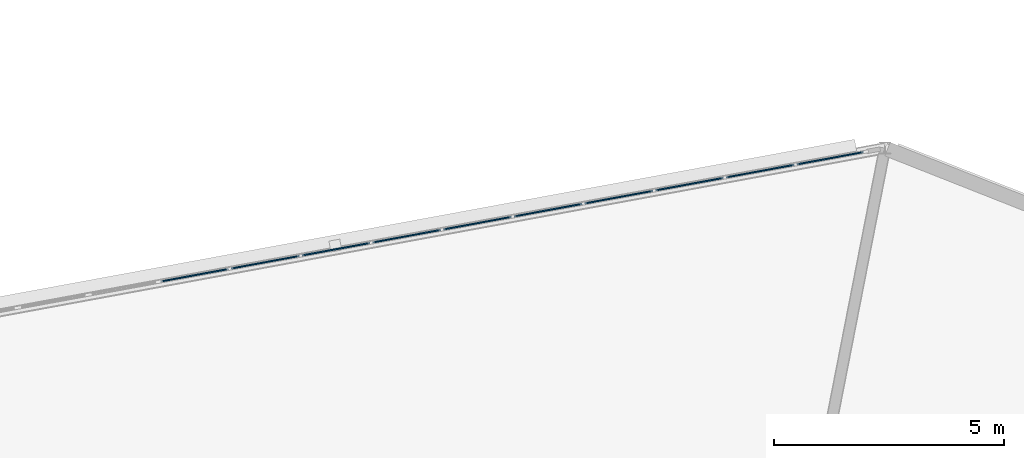
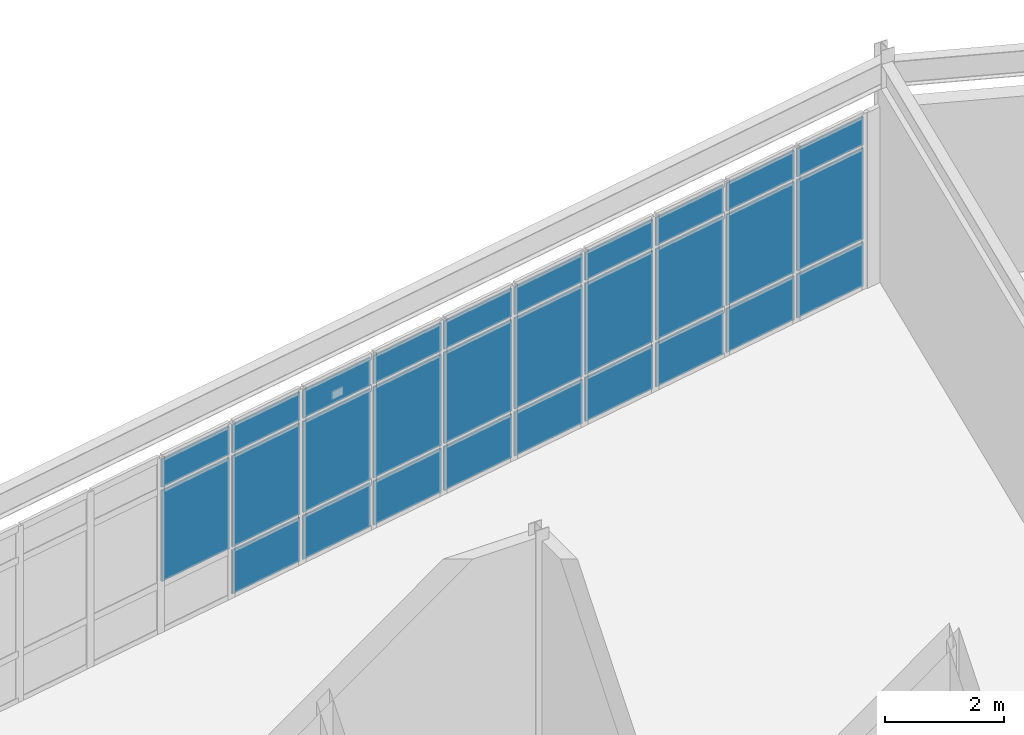
# One storey, part 50 of 76: 29 plates, 1 element without a shape of its own.
"""IFC4 building model written with IfcOpenShell, lengths in metres."""

from ifc_helpers import new_model, si_unit, direction, frame, origin, origin_2d, place, context, subcontext, project, spatial, rectangle, extrude, material, layer, layer_set, type_object, element, aggregate, save


model = new_model("IFC4")

# Units and contexts
model_context = context("Model", 3, precision=1e-05, world=origin(), true_north=direction((0.0, 1.0)))
body_context = subcontext(model_context, "Body", "Model", "MODEL_VIEW")
ifc_project = project(units=[si_unit("LENGTHUNIT", "METRE"), si_unit("AREAUNIT", "SQUARE_METRE"), si_unit("VOLUMEUNIT", "CUBIC_METRE"), si_unit("PLANEANGLEUNIT", "RADIAN"), si_unit("MASSUNIT", "GRAM", prefix="KILO")], contexts=[model_context])

# Site, building, storey
site_placement = place(None, origin())
site = spatial("IfcSite", under=ifc_project, at=site_placement, CompositionType="ELEMENT")
building_placement = place(site_placement, origin())
building = spatial("IfcBuilding", under=site, at=building_placement, Name="Tameran Prism Museum", CompositionType="ELEMENT")
storey_placement = place(building_placement, frame((0.0, 0.0, 15.0)))
storey = spatial("IfcBuildingStorey", under=building, at=storey_placement, Name="L03", CompositionType="ELEMENT", Elevation=15.0)

# Curtain wall, plates
ifc_material_1 = material(Name="Anodised Aluminium 6063-T6 and Cyclone Solar Glass", Category="aluminium")
curtain_wall_type = type_object("IfcCurtainWallType", Name="CW-FAC-2348x362", PredefinedType="USERDEFINED", material=ifc_material_1)
curtain_wall_placement = place(storey_placement, origin())
curtain_wall = element("IfcCurtainWall", 1, at=curtain_wall_placement, inside=storey, type_object=curtain_wall_type, Name="Unitised Curtain Wall CW-147", ObjectType="UNITISED CURTAIN WALL", PredefinedType="USERDEFINED")
ifc_material_2 = material(Name="Cyclone Laminated Solar Glass", Category="glass")
ifc_layer = layer(ifc_material_2, 0.031982421875)
ifc_layer_set = layer_set([ifc_layer])
plate_type = type_object("IfcPlateType", Name="CW-PNL-G32", PredefinedType="CURTAIN_PANEL", material=ifc_layer_set)
plate_1_placement = place(storey_placement, frame((110.5693359375, 44.6328125, 1.032470703125), z_axis=(0.0, 0.0, 1.0), x_axis=(0.98347155585, 0.181062693106, 0.0)))
plate_1 = element("IfcPlate", 2, at=plate_1_placement, type_object=plate_type, Name="CW-147 panel 6.2", PredefinedType="CURTAIN_PANEL", context=body_context, shape_type="SweptSolid", body=[
    extrude(rectangle(XDim=1.500244140625, YDim=0.031982421875, at=origin_2d()), origin(), (0.0, 0.0, 1.0), 1.875),
])
plate_2_placement = place(storey_placement, frame((110.5693359375, 44.6328125, 2.972412109375), z_axis=(0.0, 0.0, 1.0), x_axis=(0.98347155585, 0.181062693106, 0.0)))
plate_2 = element("IfcPlate", 3, at=plate_2_placement, type_object=plate_type, Name="CW-147 panel 6.3", PredefinedType="CURTAIN_PANEL", context=body_context, shape_type="SweptSolid", body=[
    extrude(rectangle(XDim=1.500244140625, YDim=0.031982421875, at=origin_2d()), origin(), (0.0, 0.0, 1.0), 0.58251953125),
])
plate_3_placement = place(storey_placement, frame((112.108642578125, 44.916015625, 0.06494140625), z_axis=(0.0, 0.0, 1.0), x_axis=(0.98347155585, 0.181062693106, 0.0)))
plate_3 = element("IfcPlate", 4, at=plate_3_placement, type_object=plate_type, Name="CW-147 panel 7.1", PredefinedType="CURTAIN_PANEL", context=body_context, shape_type="SweptSolid", body=[
    extrude(rectangle(XDim=1.500244140625, YDim=0.031982421875, at=origin_2d()), origin(), (0.0, 0.0, 1.0), 0.902587890625),
])
plate_4_placement = place(storey_placement, frame((112.108642578125, 44.916015625, 1.032470703125), z_axis=(0.0, 0.0, 1.0), x_axis=(0.98347155585, 0.181062693106, 0.0)))
plate_4 = element("IfcPlate", 5, at=plate_4_placement, type_object=plate_type, Name="CW-147 panel 7.2", PredefinedType="CURTAIN_PANEL", context=body_context, shape_type="SweptSolid", body=[
    extrude(rectangle(XDim=1.500244140625, YDim=0.031982421875, at=origin_2d()), origin(), (0.0, 0.0, 1.0), 1.875),
])
plate_5_placement = place(storey_placement, frame((112.108642578125, 44.916015625, 2.972412109375), z_axis=(0.0, 0.0, 1.0), x_axis=(0.98347155585, 0.181062693106, 0.0)))
plate_5 = element("IfcPlate", 6, at=plate_5_placement, type_object=plate_type, Name="CW-147 panel 7.3", PredefinedType="CURTAIN_PANEL", context=body_context, shape_type="SweptSolid", body=[
    extrude(rectangle(XDim=1.500244140625, YDim=0.031982421875, at=origin_2d()), origin(), (0.0, 0.0, 1.0), 0.58251953125),
])
plate_6_placement = place(storey_placement, frame((113.64794921875, 45.199462890625, 0.06494140625), z_axis=(0.0, 0.0, 1.0), x_axis=(0.98347155585, 0.181062693106, 0.0)))
plate_6 = element("IfcPlate", 7, at=plate_6_placement, type_object=plate_type, Name="CW-147 panel 8.1", PredefinedType="CURTAIN_PANEL", context=body_context, shape_type="SweptSolid", body=[
    extrude(rectangle(XDim=1.500244140625, YDim=0.031982421875, at=origin_2d()), origin(), (0.0, 0.0, 1.0), 0.902587890625),
])
plate_7_placement = place(storey_placement, frame((113.64794921875, 45.199462890625, 1.032470703125), z_axis=(0.0, 0.0, 1.0), x_axis=(0.98347155585, 0.181062693106, 0.0)))
plate_7 = element("IfcPlate", 8, at=plate_7_placement, type_object=plate_type, Name="CW-147 panel 8.2", PredefinedType="CURTAIN_PANEL", context=body_context, shape_type="SweptSolid", body=[
    extrude(rectangle(XDim=1.500244140625, YDim=0.031982421875, at=origin_2d()), origin(), (0.0, 0.0, 1.0), 1.875),
])
plate_8_placement = place(storey_placement, frame((113.64794921875, 45.199462890625, 2.972412109375), z_axis=(0.0, 0.0, 1.0), x_axis=(0.98347155585, 0.181062693106, 0.0)))
plate_8 = element("IfcPlate", 9, at=plate_8_placement, type_object=plate_type, Name="CW-147 panel 8.3", PredefinedType="CURTAIN_PANEL", context=body_context, shape_type="SweptSolid", body=[
    extrude(rectangle(XDim=1.500244140625, YDim=0.031982421875, at=origin_2d()), origin(), (0.0, 0.0, 1.0), 0.58251953125),
])
plate_9_placement = place(storey_placement, frame((115.187255859375, 45.48291015625, 0.06494140625), z_axis=(0.0, 0.0, 1.0), x_axis=(0.98347155585, 0.181062693106, 0.0)))
plate_9 = element("IfcPlate", 10, at=plate_9_placement, type_object=plate_type, Name="CW-147 panel 9.1", PredefinedType="CURTAIN_PANEL", context=body_context, shape_type="SweptSolid", body=[
    extrude(rectangle(XDim=1.500244140625, YDim=0.031982421875, at=origin_2d()), origin(), (0.0, 0.0, 1.0), 0.902587890625),
])
plate_10_placement = place(storey_placement, frame((115.187255859375, 45.48291015625, 1.032470703125), z_axis=(0.0, 0.0, 1.0), x_axis=(0.98347155585, 0.181062693106, 0.0)))
plate_10 = element("IfcPlate", 11, at=plate_10_placement, type_object=plate_type, Name="CW-147 panel 9.2", PredefinedType="CURTAIN_PANEL", context=body_context, shape_type="SweptSolid", body=[
    extrude(rectangle(XDim=1.500244140625, YDim=0.031982421875, at=origin_2d()), origin(), (0.0, 0.0, 1.0), 1.875),
])
plate_11_placement = place(storey_placement, frame((115.187255859375, 45.48291015625, 2.972412109375), z_axis=(0.0, 0.0, 1.0), x_axis=(0.98347155585, 0.181062693106, 0.0)))
plate_11 = element("IfcPlate", 12, at=plate_11_placement, type_object=plate_type, Name="CW-147 panel 9.3", PredefinedType="CURTAIN_PANEL", context=body_context, shape_type="SweptSolid", body=[
    extrude(rectangle(XDim=1.500244140625, YDim=0.031982421875, at=origin_2d()), origin(), (0.0, 0.0, 1.0), 0.58251953125),
])
plate_12_placement = place(storey_placement, frame((116.7265625, 45.766357421875, 0.06494140625), z_axis=(0.0, 0.0, 1.0), x_axis=(0.98347155585, 0.181062693106, 0.0)))
plate_12 = element("IfcPlate", 13, at=plate_12_placement, type_object=plate_type, Name="CW-147 panel 10.1", PredefinedType="CURTAIN_PANEL", context=body_context, shape_type="SweptSolid", body=[
    extrude(rectangle(XDim=1.500244140625, YDim=0.031982421875, at=origin_2d()), origin(), (0.0, 0.0, 1.0), 0.902587890625),
])
plate_13_placement = place(storey_placement, frame((116.7265625, 45.766357421875, 1.032470703125), z_axis=(0.0, 0.0, 1.0), x_axis=(0.98347155585, 0.181062693106, 0.0)))
plate_13 = element("IfcPlate", 14, at=plate_13_placement, type_object=plate_type, Name="CW-147 panel 10.2", PredefinedType="CURTAIN_PANEL", context=body_context, shape_type="SweptSolid", body=[
    extrude(rectangle(XDim=1.500244140625, YDim=0.031982421875, at=origin_2d()), origin(), (0.0, 0.0, 1.0), 1.875),
])
plate_14_placement = place(storey_placement, frame((116.7265625, 45.766357421875, 2.972412109375), z_axis=(0.0, 0.0, 1.0), x_axis=(0.98347155585, 0.181062693106, 0.0)))
plate_14 = element("IfcPlate", 15, at=plate_14_placement, type_object=plate_type, Name="CW-147 panel 10.3", PredefinedType="CURTAIN_PANEL", context=body_context, shape_type="SweptSolid", body=[
    extrude(rectangle(XDim=1.500244140625, YDim=0.031982421875, at=origin_2d()), origin(), (0.0, 0.0, 1.0), 0.58251953125),
])
plate_15_placement = place(storey_placement, frame((118.26611328125, 46.0498046875, 0.06494140625), z_axis=(0.0, 0.0, 1.0), x_axis=(0.98347155585, 0.181062693106, 0.0)))
plate_15 = element("IfcPlate", 16, at=plate_15_placement, type_object=plate_type, Name="CW-147 panel 11.1", PredefinedType="CURTAIN_PANEL", context=body_context, shape_type="SweptSolid", body=[
    extrude(rectangle(XDim=1.500244140625, YDim=0.031982421875, at=origin_2d()), origin(), (0.0, 0.0, 1.0), 0.902587890625),
])
plate_16_placement = place(storey_placement, frame((118.26611328125, 46.0498046875, 1.032470703125), z_axis=(0.0, 0.0, 1.0), x_axis=(0.98347155585, 0.181062693106, 0.0)))
plate_16 = element("IfcPlate", 17, at=plate_16_placement, type_object=plate_type, Name="CW-147 panel 11.2", PredefinedType="CURTAIN_PANEL", context=body_context, shape_type="SweptSolid", body=[
    extrude(rectangle(XDim=1.500244140625, YDim=0.031982421875, at=origin_2d()), origin(), (0.0, 0.0, 1.0), 1.875),
])
plate_17_placement = place(storey_placement, frame((118.26611328125, 46.0498046875, 2.972412109375), z_axis=(0.0, 0.0, 1.0), x_axis=(0.98347155585, 0.181062693106, 0.0)))
plate_17 = element("IfcPlate", 18, at=plate_17_placement, type_object=plate_type, Name="CW-147 panel 11.3", PredefinedType="CURTAIN_PANEL", context=body_context, shape_type="SweptSolid", body=[
    extrude(rectangle(XDim=1.500244140625, YDim=0.031982421875, at=origin_2d()), origin(), (0.0, 0.0, 1.0), 0.58251953125),
])
plate_18_placement = place(storey_placement, frame((119.805419921875, 46.3330078125, 0.06494140625), z_axis=(0.0, 0.0, 1.0), x_axis=(0.98347155585, 0.181062693106, 0.0)))
plate_18 = element("IfcPlate", 19, at=plate_18_placement, type_object=plate_type, Name="CW-147 panel 12.1", PredefinedType="CURTAIN_PANEL", context=body_context, shape_type="SweptSolid", body=[
    extrude(rectangle(XDim=1.500244140625, YDim=0.031982421875, at=origin_2d()), origin(), (0.0, 0.0, 1.0), 0.902587890625),
])
plate_19_placement = place(storey_placement, frame((119.805419921875, 46.3330078125, 1.032470703125), z_axis=(0.0, 0.0, 1.0), x_axis=(0.98347155585, 0.181062693106, 0.0)))
plate_19 = element("IfcPlate", 20, at=plate_19_placement, type_object=plate_type, Name="CW-147 panel 12.2", PredefinedType="CURTAIN_PANEL", context=body_context, shape_type="SweptSolid", body=[
    extrude(rectangle(XDim=1.500244140625, YDim=0.031982421875, at=origin_2d()), origin(), (0.0, 0.0, 1.0), 1.875),
])
plate_20_placement = place(storey_placement, frame((119.805419921875, 46.3330078125, 2.972412109375), z_axis=(0.0, 0.0, 1.0), x_axis=(0.98347155585, 0.181062693106, 0.0)))
plate_20 = element("IfcPlate", 21, at=plate_20_placement, type_object=plate_type, Name="CW-147 panel 12.3", PredefinedType="CURTAIN_PANEL", context=body_context, shape_type="SweptSolid", body=[
    extrude(rectangle(XDim=1.500244140625, YDim=0.031982421875, at=origin_2d()), origin(), (0.0, 0.0, 1.0), 0.58251953125),
])
plate_21_placement = place(storey_placement, frame((121.3447265625, 46.616455078125, 0.06494140625), z_axis=(0.0, 0.0, 1.0), x_axis=(0.98347155585, 0.181062693106, 0.0)))
plate_21 = element("IfcPlate", 22, at=plate_21_placement, type_object=plate_type, Name="CW-147 panel 13.1", PredefinedType="CURTAIN_PANEL", context=body_context, shape_type="SweptSolid", body=[
    extrude(rectangle(XDim=1.500244140625, YDim=0.031982421875, at=origin_2d()), origin(), (0.0, 0.0, 1.0), 0.902587890625),
])
plate_22_placement = place(storey_placement, frame((121.3447265625, 46.616455078125, 1.032470703125), z_axis=(0.0, 0.0, 1.0), x_axis=(0.98347155585, 0.181062693106, 0.0)))
plate_22 = element("IfcPlate", 23, at=plate_22_placement, type_object=plate_type, Name="CW-147 panel 13.2", PredefinedType="CURTAIN_PANEL", context=body_context, shape_type="SweptSolid", body=[
    extrude(rectangle(XDim=1.500244140625, YDim=0.031982421875, at=origin_2d()), origin(), (0.0, 0.0, 1.0), 1.875),
])
plate_23_placement = place(storey_placement, frame((121.3447265625, 46.616455078125, 2.972412109375), z_axis=(0.0, 0.0, 1.0), x_axis=(0.98347155585, 0.181062693106, 0.0)))
plate_23 = element("IfcPlate", 24, at=plate_23_placement, type_object=plate_type, Name="CW-147 panel 13.3", PredefinedType="CURTAIN_PANEL", context=body_context, shape_type="SweptSolid", body=[
    extrude(rectangle(XDim=1.500244140625, YDim=0.031982421875, at=origin_2d()), origin(), (0.0, 0.0, 1.0), 0.58251953125),
])
plate_24_placement = place(storey_placement, frame((122.884033203125, 46.89990234375, 0.06494140625), z_axis=(0.0, 0.0, 1.0), x_axis=(0.98347155585, 0.181062693106, 0.0)))
plate_24 = element("IfcPlate", 25, at=plate_24_placement, type_object=plate_type, Name="CW-147 panel 14.1", PredefinedType="CURTAIN_PANEL", context=body_context, shape_type="SweptSolid", body=[
    extrude(rectangle(XDim=1.500244140625, YDim=0.031982421875, at=origin_2d()), origin(), (0.0, 0.0, 1.0), 0.902587890625),
])
plate_25_placement = place(storey_placement, frame((122.884033203125, 46.89990234375, 1.032470703125), z_axis=(0.0, 0.0, 1.0), x_axis=(0.98347155585, 0.181062693106, 0.0)))
plate_25 = element("IfcPlate", 26, at=plate_25_placement, type_object=plate_type, Name="CW-147 panel 14.2", PredefinedType="CURTAIN_PANEL", context=body_context, shape_type="SweptSolid", body=[
    extrude(rectangle(XDim=1.500244140625, YDim=0.031982421875, at=origin_2d()), origin(), (0.0, 0.0, 1.0), 1.875),
])
plate_26_placement = place(storey_placement, frame((122.884033203125, 46.89990234375, 2.972412109375), z_axis=(0.0, 0.0, 1.0), x_axis=(0.98347155585, 0.181062693106, 0.0)))
plate_26 = element("IfcPlate", 27, at=plate_26_placement, type_object=plate_type, Name="CW-147 panel 14.3", PredefinedType="CURTAIN_PANEL", context=body_context, shape_type="SweptSolid", body=[
    extrude(rectangle(XDim=1.500244140625, YDim=0.031982421875, at=origin_2d()), origin(), (0.0, 0.0, 1.0), 0.58251953125),
])
plate_27_placement = place(storey_placement, frame((124.407470703125, 47.180419921875, 0.06494140625), z_axis=(0.0, 0.0, 1.0), x_axis=(0.98347155585, 0.181062693106, 0.0)))
plate_27 = element("IfcPlate", 28, at=plate_27_placement, type_object=plate_type, Name="CW-147 panel 15.1", PredefinedType="CURTAIN_PANEL", context=body_context, shape_type="SweptSolid", body=[
    extrude(rectangle(XDim=1.4677734375, YDim=0.031982421875, at=origin_2d()), origin(), (0.0, 0.0, 1.0), 0.902587890625),
])
plate_28_placement = place(storey_placement, frame((124.407470703125, 47.180419921875, 1.032470703125), z_axis=(0.0, 0.0, 1.0), x_axis=(0.98347155585, 0.181062693106, 0.0)))
plate_28 = element("IfcPlate", 29, at=plate_28_placement, type_object=plate_type, Name="CW-147 panel 15.2", PredefinedType="CURTAIN_PANEL", context=body_context, shape_type="SweptSolid", body=[
    extrude(rectangle(XDim=1.4677734375, YDim=0.031982421875, at=origin_2d()), origin(), (0.0, 0.0, 1.0), 1.875),
])
plate_29_placement = place(storey_placement, frame((124.407470703125, 47.180419921875, 2.972412109375), z_axis=(0.0, 0.0, 1.0), x_axis=(0.98347155585, 0.181062693106, 0.0)))
plate_29 = element("IfcPlate", 30, at=plate_29_placement, type_object=plate_type, Name="CW-147 panel 15.3", PredefinedType="CURTAIN_PANEL", context=body_context, shape_type="SweptSolid", body=[
    extrude(rectangle(XDim=1.4677734375, YDim=0.031982421875, at=origin_2d()), origin(), (0.0, 0.0, 1.0), 0.58251953125),
])
aggregate(curtain_wall, [plate_1, plate_2, plate_3, plate_4, plate_5, plate_6, plate_7, plate_8, plate_9, plate_10, plate_11, plate_12, plate_13, plate_14, plate_15, plate_16, plate_17, plate_18, plate_19, plate_20, plate_21, plate_22, plate_23, plate_24, plate_25, plate_26, plate_27, plate_28, plate_29])

save(model, "model.ifc")
